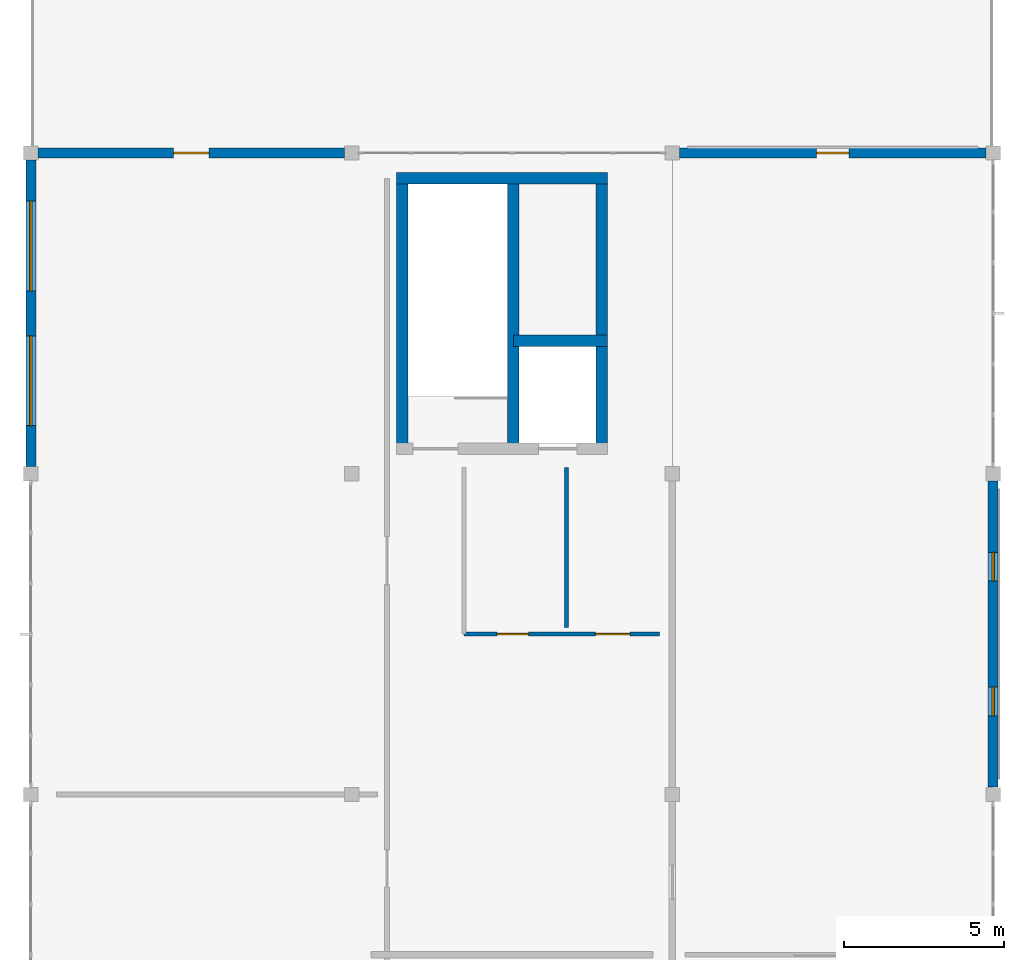
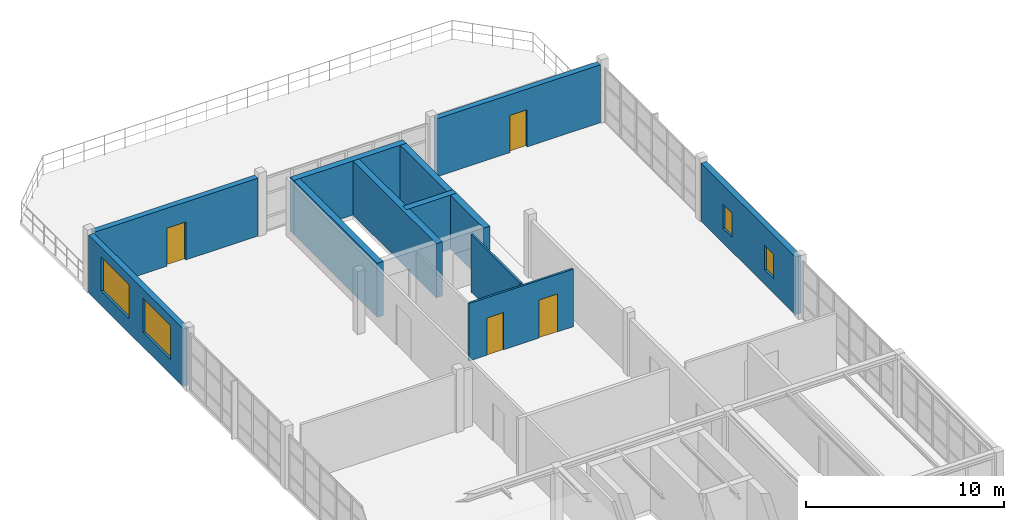
# One storey, part 10 of 11: 11 walls, 4 doors, 4 windows, 8 openings.
"""IFC4 building model written with IfcOpenShell, lengths in metres."""

from ifc_helpers import new_model, si_unit, direction, frame, frame_2d, origin, place, context, subcontext, project, spatial, rectangle, extrude, material, layer, layer_set, type_object, element, fill, save


model = new_model("IFC4")

# Units and contexts
model_context = context("Model", 3, precision=1e-05, world=origin(), true_north=direction((0.0, 1.0)))
body_context = subcontext(model_context, "Body", "Model", "MODEL_VIEW")
ifc_project = project(units=[si_unit("LENGTHUNIT", "METRE"), si_unit("AREAUNIT", "SQUARE_METRE"), si_unit("VOLUMEUNIT", "CUBIC_METRE"), si_unit("PLANEANGLEUNIT", "RADIAN"), si_unit("MASSUNIT", "GRAM", prefix="KILO"), si_unit("THERMODYNAMICTEMPERATUREUNIT", "KELVIN"), si_unit("POWERUNIT", "WATT")], contexts=[model_context])

# Site, building, storey
site_placement = place(None, origin())
site = spatial("IfcSite", under=ifc_project, at=site_placement, CompositionType="ELEMENT")
building_placement = place(site_placement, origin())
building = spatial("IfcBuilding", under=site, at=building_placement, Name="Korenveer Ferry Terminal", CompositionType="ELEMENT")
storey_placement = place(building_placement, frame((0.0, 0.0, 18.300048828125)))
storey = spatial("IfcBuildingStorey", under=building, at=storey_placement, Name="L04", CompositionType="ELEMENT", Elevation=18.300048828125)

# Wall, opening, door
ifc_material_1 = material(Name="Insulated zinc-clad cassette wall", Category="masonry")
ifc_layer_1 = layer(ifc_material_1, 0.320068359375)
ifc_layer_set_1 = layer_set([ifc_layer_1], Name="Insulated zinc-clad cassette wall")
wall_type_1 = type_object("IfcWallType", Name="ENV-WL-CLD320", PredefinedType="SOLIDWALL", material=ifc_layer_set_1)
wall_1_placement = place(storey_placement, frame((0.22509765625, 60.0, 0.0), z_axis=(0.0, 0.0, 1.0), x_axis=(1.0, 0.0, 0.0)))
wall_1 = element("IfcWall", 1, at=wall_1_placement, inside=storey, type_object=wall_type_1, Name="Exterior facade wall EWL-L04-075", PredefinedType="SOLIDWALL", context=body_context, shape_type="SweptSolid", body=[
    extrude(rectangle(XDim=9.5498046875, YDim=0.320068359375, at=frame_2d((4.77490234375, 0.0))), origin(), (0.0, 0.0, 1.0), 3.579833984375),
])
opening_1_placement = place(wall_1_placement, frame((4.22509765625, 0.0, 0.0)))
opening_1 = element("IfcOpeningElement", 2, at=opening_1_placement, cuts=wall_1, Name="Opening TD-401", PredefinedType="OPENING", context=body_context, shape_type="SweptSolid", body=[
    extrude(rectangle(XDim=1.10009765625, YDim=2.35009765625, at=frame_2d((0.550048828125, 1.175048828125))), frame((0.0, 0.169921875, 0.0), z_axis=(0.0, -1.0, 0.0), x_axis=(1.0, 0.0, 0.0)), (0.0, 0.0, 1.0), 0.340087890625),
])
ifc_material_2 = material(Name="Thermally broken bronze glazed door", Category="aluminium")
door_type_1 = type_object("IfcDoorType", Name="ENV-DR-TERR110", OperationType="NOTDEFINED", PredefinedType="DOOR", material=ifc_material_2)
door_1_placement = place(opening_1_placement, origin())
door_1 = element("IfcDoor", 3, at=door_1_placement, inside=storey, type_object=door_type_1, Name="VTS Observation Terrace North Door TD-401", OperationType="SINGLE_SWING_RIGHT", OverallHeight=2.35009765625, OverallWidth=1.10009765625, PredefinedType="DOOR", context=body_context, shape_type="SweptSolid", body=[
    extrude(rectangle(XDim=1.10009765625, YDim=2.35009765625, at=frame_2d((0.550048828125, 1.175048828125))), frame((0.0, 0.02490234375, 0.0), z_axis=(0.0, -1.0, 0.0), x_axis=(1.0, 0.0, 0.0)), (0.0, 0.0, 1.0), 0.050048828125),
])
fill(opening_1, door_1)

wall_2_placement = place(storey_placement, frame((20.22509765625, 60.0, 0.0), z_axis=(0.0, 0.0, 1.0), x_axis=(1.0, 0.0, 0.0)))
wall_2 = element("IfcWall", 4, at=wall_2_placement, inside=storey, type_object=wall_type_1, Name="Exterior facade wall EWL-L04-076", PredefinedType="SOLIDWALL", context=body_context, shape_type="SweptSolid", body=[
    extrude(rectangle(XDim=9.5498046875, YDim=0.320068359375, at=frame_2d((4.77490234375, 0.0))), origin(), (0.0, 0.0, 1.0), 3.579833984375),
])
opening_2_placement = place(wall_2_placement, frame((4.27490234375, 0.0, 0.0)))
opening_2 = element("IfcOpeningElement", 5, at=opening_2_placement, cuts=wall_2, Name="Opening TD-402", PredefinedType="OPENING", context=body_context, shape_type="SweptSolid", body=[
    extrude(rectangle(XDim=1.0, YDim=2.300048828125, at=frame_2d((0.5, 1.14990234375))), frame((0.0, 0.169921875, 0.0), z_axis=(0.0, -1.0, 0.0), x_axis=(1.0, 0.0, 0.0)), (0.0, 0.0, 1.0), 0.340087890625),
])
door_type_2 = type_object("IfcDoorType", Name="ENV-DR-TERR100", OperationType="NOTDEFINED", PredefinedType="DOOR", material=ifc_material_2)
door_2_placement = place(opening_2_placement, origin())
door_2 = element("IfcDoor", 6, at=door_2_placement, inside=storey, type_object=door_type_2, Name="Observation Gallery Terrace Door TD-402", OperationType="SINGLE_SWING_LEFT", OverallHeight=2.300048828125, OverallWidth=1.0, PredefinedType="DOOR", context=body_context, shape_type="SweptSolid", body=[
    extrude(rectangle(XDim=1.0, YDim=2.300048828125, at=frame_2d((0.5, 1.14990234375))), frame((0.0, 0.02490234375, 0.0), z_axis=(0.0, -1.0, 0.0), x_axis=(1.0, 0.0, 0.0)), (0.0, 0.0, 1.0), 0.050048828125),
])
fill(opening_2, door_2)

# Wall, openings, windows
wall_3_placement = place(storey_placement, frame((0.0, 50.22509765625, 0.0), z_axis=(0.0, 0.0, 1.0), x_axis=(0.0, 1.0, 0.0)))
wall_3 = element("IfcWall", 7, at=wall_3_placement, inside=storey, type_object=wall_type_1, Name="Exterior facade wall EWL-L04-078", PredefinedType="SOLIDWALL", context=body_context, shape_type="SweptSolid", body=[
    extrude(rectangle(XDim=9.5498046875, YDim=0.320068359375, at=frame_2d((4.77490234375, 0.0))), origin(), (0.0, 0.0, 1.0), 3.579833984375),
])
opening_3_placement = place(wall_3_placement, frame((1.27392578125, 0.0, 0.89990234375)))
opening_3 = element("IfcOpeningElement", 8, at=opening_3_placement, cuts=wall_3, Name="Opening WN-36", PredefinedType="OPENING", context=body_context, shape_type="SweptSolid", body=[
    extrude(rectangle(XDim=2.800048828125, YDim=2.10009765625, at=frame_2d((1.39990234375, 1.050048828125))), frame((0.0, 0.169921875, 0.0), z_axis=(0.0, -1.0, 0.0), x_axis=(1.0, 0.0, 0.0)), (0.0, 0.0, 1.0), 0.340087890625),
])
opening_4_placement = place(wall_3_placement, frame((5.47607421875, 0.0, 0.89990234375)))
opening_4 = element("IfcOpeningElement", 9, at=opening_4_placement, cuts=wall_3, Name="Opening WN-36", PredefinedType="OPENING", context=body_context, shape_type="SweptSolid", body=[
    extrude(rectangle(XDim=2.800048828125, YDim=2.10009765625, at=frame_2d((1.39990234375, 1.050048828125))), frame((0.0, 0.169921875, 0.0), z_axis=(0.0, -1.0, 0.0), x_axis=(1.0, 0.0, 0.0)), (0.0, 0.0, 1.0), 0.340087890625),
])
ifc_material_3 = material(Name="Low-iron triple glazing in bronze frame", Category="glass")
window_type_1 = type_object("IfcWindowType", Name="ENV-WN-36", PartitioningType="SINGLE_PANEL", PredefinedType="WINDOW", material=ifc_material_3)
window_1_placement = place(opening_3_placement, origin())
window_1 = element("IfcWindow", 10, at=window_1_placement, inside=storey, type_object=window_type_1, Name="Lancet facade window 97", OverallHeight=2.10009765625, OverallWidth=2.800048828125, PartitioningType="SINGLE_PANEL", PredefinedType="WINDOW", context=body_context, shape_type="SweptSolid", body=[
    extrude(rectangle(XDim=2.800048828125, YDim=2.10009765625, at=frame_2d((1.39990234375, 1.050048828125))), frame((0.0, 0.030029296875, 0.0), z_axis=(0.0, -1.0, 0.0), x_axis=(1.0, 0.0, 0.0)), (0.0, 0.0, 1.0), 0.06005859375),
])
fill(opening_3, window_1)
window_2_placement = place(opening_4_placement, origin())
window_2 = element("IfcWindow", 11, at=window_2_placement, inside=storey, type_object=window_type_1, Name="Lancet facade window 98", OverallHeight=2.10009765625, OverallWidth=2.800048828125, PartitioningType="SINGLE_PANEL", PredefinedType="WINDOW", context=body_context, shape_type="SweptSolid", body=[
    extrude(rectangle(XDim=2.800048828125, YDim=2.10009765625, at=frame_2d((1.39990234375, 1.050048828125))), frame((0.0, 0.030029296875, 0.0), z_axis=(0.0, -1.0, 0.0), x_axis=(1.0, 0.0, 0.0)), (0.0, 0.0, 1.0), 0.06005859375),
])
fill(opening_4, window_2)

wall_4_placement = place(storey_placement, frame((30.0, 49.77490234375, 0.0), z_axis=(0.0, 0.0, 1.0), x_axis=(0.0, -1.0, 0.0)))
wall_4 = element("IfcWall", 12, at=wall_4_placement, inside=storey, type_object=wall_type_1, Name="Exterior facade wall EWL-L04-079", PredefinedType="SOLIDWALL", context=body_context, shape_type="SweptSolid", body=[
    extrude(rectangle(XDim=9.5498046875, YDim=0.320068359375, at=frame_2d((4.77490234375, 0.0))), origin(), (0.0, 0.0, 1.0), 3.579833984375),
])
opening_5_placement = place(wall_4_placement, frame((2.22412109375, 0.0, 0.89990234375)))
opening_5 = element("IfcOpeningElement", 13, at=opening_5_placement, cuts=wall_4, Name="Opening WN-01", PredefinedType="OPENING", context=body_context, shape_type="SweptSolid", body=[
    extrude(rectangle(XDim=0.89990234375, YDim=1.5, at=frame_2d((0.449951171875, 0.75))), frame((0.0, 0.169921875, 0.0), z_axis=(0.0, -1.0, 0.0), x_axis=(1.0, 0.0, 0.0)), (0.0, 0.0, 1.0), 0.340087890625),
])
opening_6_placement = place(wall_4_placement, frame((6.426025390625, 0.0, 0.89990234375)))
opening_6 = element("IfcOpeningElement", 14, at=opening_6_placement, cuts=wall_4, Name="Opening WN-01", PredefinedType="OPENING", context=body_context, shape_type="SweptSolid", body=[
    extrude(rectangle(XDim=0.89990234375, YDim=1.5, at=frame_2d((0.449951171875, 0.75))), frame((0.0, 0.169921875, 0.0), z_axis=(0.0, -1.0, 0.0), x_axis=(1.0, 0.0, 0.0)), (0.0, 0.0, 1.0), 0.340087890625),
])
window_type_2 = type_object("IfcWindowType", Name="ENV-WN-01", PartitioningType="SINGLE_PANEL", PredefinedType="WINDOW", material=ifc_material_3)
window_3_placement = place(opening_5_placement, origin())
window_3 = element("IfcWindow", 15, at=window_3_placement, inside=storey, type_object=window_type_2, Name="Lancet facade window 99", OverallHeight=1.5, OverallWidth=0.89990234375, PartitioningType="SINGLE_PANEL", PredefinedType="WINDOW", context=body_context, shape_type="SweptSolid", body=[
    extrude(rectangle(XDim=0.89990234375, YDim=1.5, at=frame_2d((0.449951171875, 0.75))), frame((0.0, 0.030029296875, 0.0), z_axis=(0.0, -1.0, 0.0), x_axis=(1.0, 0.0, 0.0)), (0.0, 0.0, 1.0), 0.06005859375),
])
fill(opening_5, window_3)
window_4_placement = place(opening_6_placement, origin())
window_4 = element("IfcWindow", 16, at=window_4_placement, inside=storey, type_object=window_type_2, Name="Lancet facade window 100", OverallHeight=1.5, OverallWidth=0.89990234375, PartitioningType="SINGLE_PANEL", PredefinedType="WINDOW", context=body_context, shape_type="SweptSolid", body=[
    extrude(rectangle(XDim=0.89990234375, YDim=1.5, at=frame_2d((0.449951171875, 0.75))), frame((0.0, 0.030029296875, 0.0), z_axis=(0.0, -1.0, 0.0), x_axis=(1.0, 0.0, 0.0)), (0.0, 0.0, 1.0), 0.06005859375),
])
fill(opening_6, window_4)

# Walls
ifc_material_4 = material(Name="Concrete C45/55", Category="concrete")
ifc_layer_2 = layer(ifc_material_4, 0.360107421875)
ifc_layer_set_2 = layer_set([ifc_layer_2], Name="Concrete C45/55")
wall_type_2 = type_object("IfcWallType", Name="INT-WL-CORE360", PredefinedType="SHEAR", material=ifc_layer_set_2)
wall_5_placement = place(storey_placement, frame((11.39990234375, 59.219970703125, 0.0), z_axis=(0.0, 0.0, 1.0), x_axis=(1.0, 0.0, 0.0)))
element("IfcWall", 17, at=wall_5_placement, inside=storey, type_object=wall_type_2, Name="West Operations Core K2 north shear wall L04", PredefinedType="SHEAR", context=body_context, shape_type="SweptSolid", body=[
    extrude(rectangle(XDim=6.580078125, YDim=0.360107421875, at=frame_2d((3.2900390625, 0.0))), origin(), (0.0, 0.0, 1.0), 3.349853515625),
])
for number, where, z_axis, x_axis, name in (
    (18, (11.580078125, 50.60009765625, 0.0), (0.0, 0.0, 1.0), (0.0, 1.0, 0.0), "West Operations Core K2 west shear wall L04"),
    (19, (17.800048828125, 50.60009765625, 0.0), (0.0, 0.0, 1.0), (0.0, 1.0, 0.0), "West Operations Core K2 east shear wall L04"),
    (20, (15.0400390625, 50.60009765625, 0.0), (0.0, 0.0, 1.0), (0.0, 1.0, 0.0), "West Operations Core K2 shaft divider wall L04"),
):
    element("IfcWall", number, at=place(storey_placement, frame(where, z_axis=z_axis, x_axis=x_axis)), inside=storey, type_object=wall_type_2, Name=name, PredefinedType="SHEAR", context=body_context, shape_type="SweptSolid", body=[
        extrude(rectangle(XDim=8.7998046875, YDim=0.360107421875, at=frame_2d((4.39990234375, 0.0))), origin(), (0.0, 0.0, 1.0), 3.349853515625),
    ])
wall_6_placement = place(storey_placement, frame((15.0400390625, 54.139892578125, 0.0), z_axis=(0.0, 0.0, 1.0), x_axis=(1.0, 0.0, 0.0)))
element("IfcWall", 21, at=wall_6_placement, inside=storey, type_object=wall_type_2, Name="West Operations Core K2 lift shaft wall L04", PredefinedType="SHEAR", context=body_context, shape_type="SweptSolid", body=[
    extrude(rectangle(XDim=2.93994140625, YDim=0.360107421875, at=frame_2d((1.469970703125, 0.0))), origin(), (0.0, 0.0, 1.0), 3.349853515625),
])

# Wall, openings, doors
ifc_material_5 = material(Name="Lightweight wet-room stud partition", Category="other")
ifc_layer_3 = layer(ifc_material_5, 0.1201171875)
ifc_layer_set_3 = layer_set([ifc_layer_3], Name="Lightweight wet-room stud partition")
wall_type_3 = type_object("IfcWallType", Name="INT-WL-PART120", PredefinedType="PARTITIONING", material=ifc_layer_set_3)
wall_7_placement = place(storey_placement, frame((13.5, 45.0, 0.0), z_axis=(0.0, 0.0, 1.0), x_axis=(1.0, 0.0, 0.0)))
wall_7 = element("IfcWall", 22, at=wall_7_placement, inside=storey, type_object=wall_type_3, Name="Interior partition PWL-L04-063", PredefinedType="PARTITIONING", context=body_context, shape_type="SweptSolid", body=[
    extrude(rectangle(XDim=6.10009765625, YDim=0.1201171875, at=frame_2d((3.050048828125, 0.0))), origin(), (0.0, 0.0, 1.0), 3.56005859375),
])
opening_7_placement = place(wall_7_placement, frame((1.034912109375, 0.0, 0.0)))
opening_7 = element("IfcOpeningElement", 23, at=opening_7_placement, cuts=wall_7, Name="Opening ID-076", PredefinedType="OPENING", context=body_context, shape_type="SweptSolid", body=[
    extrude(rectangle(XDim=0.97998046875, YDim=2.300048828125, at=frame_2d((0.489990234375, 1.14990234375))), frame((0.0, 0.070068359375, 0.0), z_axis=(0.0, -1.0, 0.0), x_axis=(1.0, 0.0, 0.0)), (0.0, 0.0, 1.0), 0.14013671875),
])
opening_8_placement = place(wall_7_placement, frame((4.095947265625, 0.0, 0.0)))
opening_8 = element("IfcOpeningElement", 24, at=opening_8_placement, cuts=wall_7, Name="Opening ID-077", PredefinedType="OPENING", context=body_context, shape_type="SweptSolid", body=[
    extrude(rectangle(XDim=1.080078125, YDim=2.35009765625, at=frame_2d((0.5400390625, 1.175048828125))), frame((0.0, 0.070068359375, 0.0), z_axis=(0.0, -1.0, 0.0), x_axis=(1.0, 0.0, 0.0)), (0.0, 0.0, 1.0), 0.14013671875),
])
ifc_material_6 = material(Name="Solid hardwood and steel acoustic door", Category="steel")
door_type_3 = type_object("IfcDoorType", Name="INT-DR-AWC108", OperationType="NOTDEFINED", PredefinedType="DOOR", material=ifc_material_6)
door_3_placement = place(opening_8_placement, origin())
door_3 = element("IfcDoor", 25, at=door_3_placement, inside=storey, type_object=door_type_3, Name="L04 Accessible WC Door", OperationType="SINGLE_SWING_RIGHT", OverallHeight=2.35009765625, OverallWidth=1.080078125, PredefinedType="DOOR", context=body_context, shape_type="SweptSolid", body=[
    extrude(rectangle(XDim=1.080078125, YDim=2.35009765625, at=frame_2d((0.5400390625, 1.175048828125))), frame((0.0, 0.02490234375, 0.0), z_axis=(0.0, -1.0, 0.0), x_axis=(1.0, 0.0, 0.0)), (0.0, 0.0, 1.0), 0.050048828125),
])
fill(opening_8, door_3)
door_type_4 = type_object("IfcDoorType", Name="INT-DR-WC098", OperationType="NOTDEFINED", PredefinedType="DOOR", material=ifc_material_6)
door_4_placement = place(opening_7_placement, origin())
door_4 = element("IfcDoor", 26, at=door_4_placement, inside=storey, type_object=door_type_4, Name="L04 Public Washroom Door", OperationType="SINGLE_SWING_LEFT", OverallHeight=2.300048828125, OverallWidth=0.97998046875, PredefinedType="DOOR", context=body_context, shape_type="SweptSolid", body=[
    extrude(rectangle(XDim=0.97998046875, YDim=2.300048828125, at=frame_2d((0.489990234375, 1.14990234375))), frame((0.0, 0.02490234375, 0.0), z_axis=(0.0, -1.0, 0.0), x_axis=(1.0, 0.0, 0.0)), (0.0, 0.0, 1.0), 0.050048828125),
])
fill(opening_7, door_4)

# Wall
wall_8_placement = place(storey_placement, frame((16.699951171875, 45.199951171875, 0.0), z_axis=(0.0, 0.0, 1.0), x_axis=(0.0, 1.0, 0.0)))
element("IfcWall", 27, at=wall_8_placement, inside=storey, type_object=wall_type_3, Name="Interior partition PWL-L04-065", PredefinedType="PARTITIONING", context=body_context, shape_type="SweptSolid", body=[
    extrude(rectangle(XDim=5.0, YDim=0.1201171875, at=frame_2d((2.5, 0.0))), origin(), (0.0, 0.0, 1.0), 3.56005859375),
])

save(model, "model.ifc")
